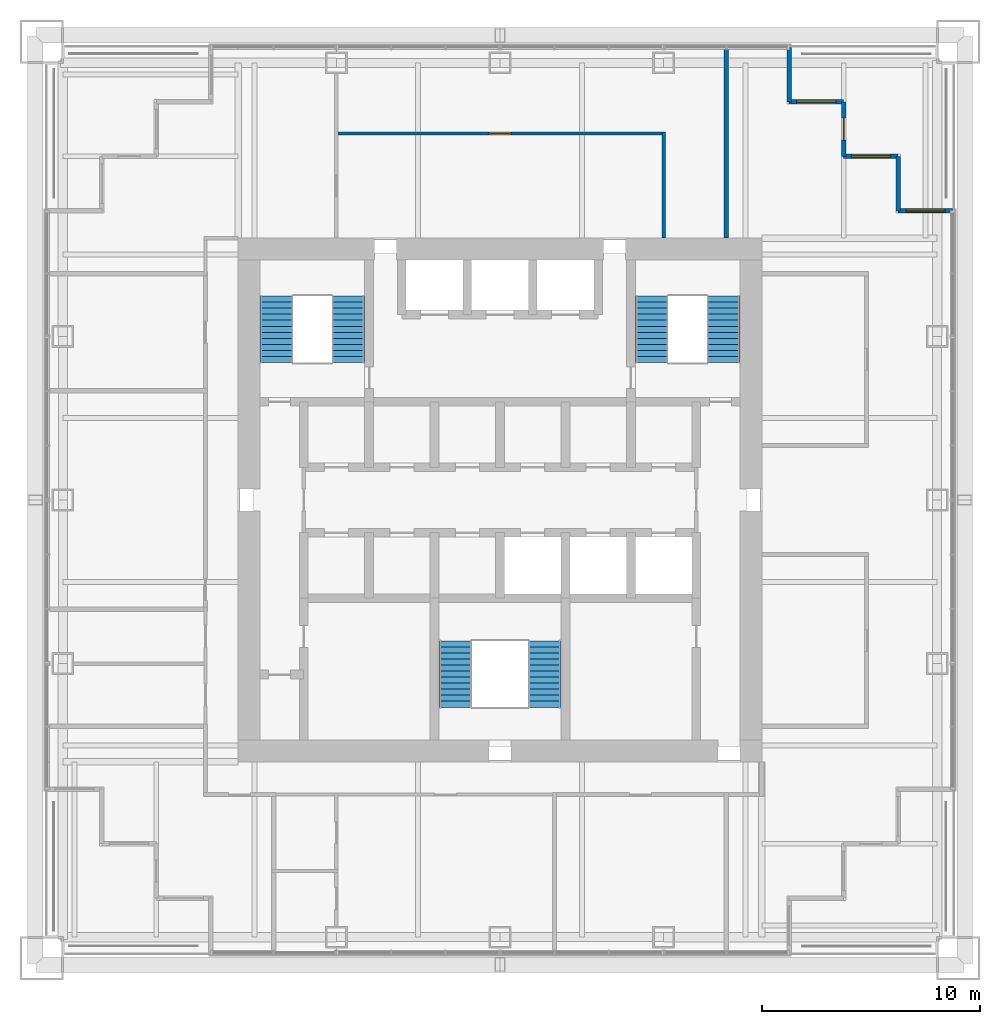
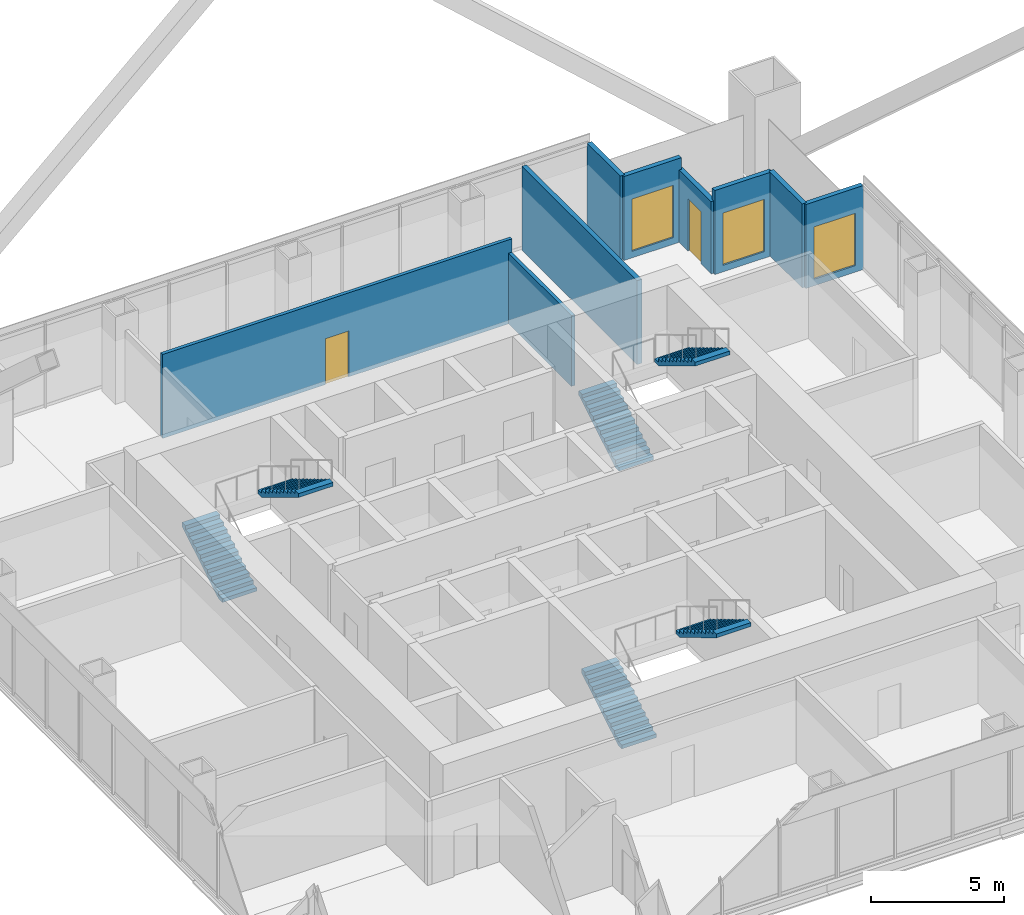
# One storey, part 11 of 13: 9 walls, 6 stair flights, 3 windows, 2 doors, 5 openings, 3 elements without a shape of their own.
"""IFC4 building model written with IfcOpenShell, lengths in metres."""

from ifc_helpers import new_model, si_unit, direction, frame, frame_2d, origin, place, context, subcontext, project, spatial, polyline, rectangle, outline, extrude, material, layer, layer_set, type_object, element, fill, aggregate, save


model = new_model("IFC4")

# Units and contexts
model_context = context("Model", 3, precision=1e-05, world=origin(), true_north=direction((0.0, 1.0)))
body_context = subcontext(model_context, "Body", "Model", "MODEL_VIEW")
ifc_project = project(units=[si_unit("LENGTHUNIT", "METRE"), si_unit("AREAUNIT", "SQUARE_METRE"), si_unit("VOLUMEUNIT", "CUBIC_METRE"), si_unit("PLANEANGLEUNIT", "RADIAN"), si_unit("MASSUNIT", "GRAM", prefix="KILO")], contexts=[model_context])

# Site, building, storey
site_placement = place(None, origin())
site = spatial("IfcSite", under=ifc_project, at=site_placement, CompositionType="ELEMENT")
building_placement = place(site_placement, origin())
building = spatial("IfcBuilding", under=site, at=building_placement, Name="Tarangal Relay Tower", CompositionType="ELEMENT")
storey_placement = place(building_placement, frame((0.0, 0.0, 259.89990234375)))
storey = spatial("IfcBuildingStorey", under=building, at=storey_placement, Name="L56", CompositionType="ELEMENT", Elevation=259.89990234375)

# Walls
ifc_material_1 = material(Name="Two layers gypsum board each side on twin steel studs, mineral wool", Category="steel")
ifc_layer_1 = layer(ifc_material_1, 0.199951171875)
ifc_layer_set_1 = layer_set([ifc_layer_1], Name="Acoustic partition 200")
wall_type_1 = type_object("IfcWallType", Name="Acoustic partition 200", PredefinedType="PARTITIONING", material=ifc_layer_set_1)
wall_1_placement = place(storey_placement, frame((10.375, 12.0, 0.0), z_axis=(0.0, 0.0, 1.0), x_axis=(0.0, 1.0, 0.0)))
element("IfcWall", 1, at=wall_1_placement, inside=storey, type_object=wall_type_1, Name="Partition PT2 L56", PredefinedType="PARTITIONING", context=body_context, shape_type="SweptSolid", body=[
    extrude(rectangle(XDim=8.64990234375, YDim=0.199951171875, at=frame_2d((4.324951171875, 0.0))), origin(), (0.0, 0.0, 1.0), 3.85009765625),
])
ifc_material_2 = material(Name="Black metal clad insulated wall", Category="steel")
ifc_layer_2 = layer(ifc_material_2, 0.199951171875)
ifc_layer_set_2 = layer_set([ifc_layer_2], Name="Corner wall metal clad 200")
wall_type_2 = type_object("IfcWallType", Name="Corner wall metal clad 200", PredefinedType="SOLIDWALL", material=ifc_layer_set_2)
wall_2_placement = place(storey_placement, frame((13.25, 20.75, 0.0), z_axis=(0.0, 0.0, 1.0), x_axis=(0.0, -1.0, 0.0)))
element("IfcWall", 2, at=wall_2_placement, inside=storey, type_object=wall_type_2, Name="Facade wall N facade L56", PredefinedType="SOLIDWALL", context=body_context, shape_type="SweptSolid", body=[
    extrude(rectangle(XDim=2.5, YDim=0.199951171875, at=frame_2d((1.25, 0.0))), origin(), (0.0, 0.0, 1.0), 3.85009765625),
])

# Wall, opening, window
wall_3_placement = place(storey_placement, frame((13.25, 18.25, 0.0), z_axis=(0.0, 0.0, 1.0), x_axis=(1.0, 0.0, 0.0)))
wall_3 = element("IfcWall", 3, at=wall_3_placement, inside=storey, type_object=wall_type_2, Name="Facade wall N facade L56", PredefinedType="SOLIDWALL", context=body_context, shape_type="SweptSolid", body=[
    extrude(rectangle(XDim=2.5, YDim=0.199951171875, at=frame_2d((1.25, 0.0))), origin(), (0.0, 0.0, 1.0), 3.85009765625),
])
opening_1_placement = place(wall_3_placement, frame((0.35009765625, 0.0, 0.300048828125)))
opening_1 = element("IfcOpeningElement", 4, at=opening_1_placement, cuts=wall_3, Name="Opening WN2", PredefinedType="OPENING", context=body_context, shape_type="SweptSolid", body=[
    extrude(rectangle(XDim=1.800048828125, YDim=2.39990234375, at=frame_2d((0.89990234375, 1.199951171875))), frame((0.0, 0.10986328125, 0.0), z_axis=(0.0, -1.0, 0.0), x_axis=(1.0, 0.0, 0.0)), (0.0, 0.0, 1.0), 0.219970703125),
])
ifc_material_3 = material(Name="Dark tinted double glazing in black aluminium frame", Category="aluminium")
window_type = type_object("IfcWindowType", Name="Corner window 1800 x 2400", PartitioningType="SINGLE_PANEL", PredefinedType="WINDOW", material=ifc_material_3)
window_1_placement = place(opening_1_placement, origin())
window_1 = element("IfcWindow", 5, at=window_1_placement, inside=storey, type_object=window_type, Name="Corner window WN2 N facade L56", OverallHeight=2.39990234375, OverallWidth=1.800048828125, PartitioningType="SINGLE_PANEL", PredefinedType="WINDOW", context=body_context, shape_type="SweptSolid", body=[
    extrude(rectangle(XDim=1.800048828125, YDim=2.39990234375, at=frame_2d((0.89990234375, 1.199951171875))), frame((0.0, 0.030029296875, 0.0), z_axis=(0.0, -1.0, 0.0), x_axis=(1.0, 0.0, 0.0)), (0.0, 0.0, 1.0), 0.06005859375),
])
fill(opening_1, window_1)

# Wall, opening, door
wall_4_placement = place(storey_placement, frame((15.75, 18.25, 0.0), z_axis=(0.0, 0.0, 1.0), x_axis=(0.0, -1.0, 0.0)))
wall_4 = element("IfcWall", 6, at=wall_4_placement, inside=storey, type_object=wall_type_2, Name="Facade wall N facade L56", PredefinedType="SOLIDWALL", context=body_context, shape_type="SweptSolid", body=[
    extrude(rectangle(XDim=2.5, YDim=0.199951171875, at=frame_2d((1.25, 0.0))), origin(), (0.0, 0.0, 1.0), 3.316650390625),
])
opening_2_placement = place(wall_4_placement, frame((0.75, 0.0, 0.0)))
opening_2 = element("IfcOpeningElement", 7, at=opening_2_placement, cuts=wall_4, Name="Opening TD1", PredefinedType="OPENING", context=body_context, shape_type="SweptSolid", body=[
    extrude(rectangle(XDim=1.0, YDim=2.39990234375, at=frame_2d((0.5, 1.199951171875))), frame((0.0, 0.10986328125, 0.0), z_axis=(0.0, -1.0, 0.0), x_axis=(1.0, 0.0, 0.0)), (0.0, 0.0, 1.0), 0.219970703125),
])
ifc_material_4 = material(Name="Aluminium glazed door", Category="aluminium")
door_type_1 = type_object("IfcDoorType", Name="Terrace door 1000 x 2400", OperationType="SINGLE_SWING_RIGHT", PredefinedType="DOOR", material=ifc_material_4)
door_1_placement = place(opening_2_placement, origin())
door_1 = element("IfcDoor", 8, at=door_1_placement, inside=storey, type_object=door_type_1, Name="Terrace door TD1 NE L56", OperationType="SINGLE_SWING_RIGHT", OverallHeight=2.39990234375, OverallWidth=1.0, PredefinedType="DOOR", context=body_context, shape_type="SweptSolid", body=[
    extrude(rectangle(XDim=1.0, YDim=2.39990234375, at=frame_2d((0.5, 1.199951171875))), frame((0.0, 0.02490234375, 0.0), z_axis=(0.0, -1.0, 0.0), x_axis=(1.0, 0.0, 0.0)), (0.0, 0.0, 1.0), 0.050048828125),
])
fill(opening_2, door_1)

# Wall, opening, window
wall_5_placement = place(storey_placement, frame((15.75, 15.75, 0.0), z_axis=(0.0, 0.0, 1.0), x_axis=(1.0, 0.0, 0.0)))
wall_5 = element("IfcWall", 9, at=wall_5_placement, inside=storey, type_object=wall_type_2, Name="Facade wall N facade L56", PredefinedType="SOLIDWALL", context=body_context, shape_type="SweptSolid", body=[
    extrude(rectangle(XDim=2.5, YDim=0.199951171875, at=frame_2d((1.25, 0.0))), origin(), (0.0, 0.0, 1.0), 3.85009765625),
])
opening_3_placement = place(wall_5_placement, frame((0.35009765625, 0.0, 0.300048828125)))
opening_3 = element("IfcOpeningElement", 10, at=opening_3_placement, cuts=wall_5, Name="Opening WN2", PredefinedType="OPENING", context=body_context, shape_type="SweptSolid", body=[
    extrude(rectangle(XDim=1.800048828125, YDim=2.39990234375, at=frame_2d((0.89990234375, 1.199951171875))), frame((0.0, 0.10986328125, 0.0), z_axis=(0.0, -1.0, 0.0), x_axis=(1.0, 0.0, 0.0)), (0.0, 0.0, 1.0), 0.219970703125),
])
window_2_placement = place(opening_3_placement, origin())
window_2 = element("IfcWindow", 11, at=window_2_placement, inside=storey, type_object=window_type, Name="Corner window WN2 N facade L56", OverallHeight=2.39990234375, OverallWidth=1.800048828125, PartitioningType="SINGLE_PANEL", PredefinedType="WINDOW", context=body_context, shape_type="SweptSolid", body=[
    extrude(rectangle(XDim=1.800048828125, YDim=2.39990234375, at=frame_2d((0.89990234375, 1.199951171875))), frame((0.0, 0.030029296875, 0.0), z_axis=(0.0, -1.0, 0.0), x_axis=(1.0, 0.0, 0.0)), (0.0, 0.0, 1.0), 0.06005859375),
])
fill(opening_3, window_2)

# Wall
wall_6_placement = place(storey_placement, frame((18.25, 15.75, 0.0), z_axis=(0.0, 0.0, 1.0), x_axis=(0.0, -1.0, 0.0)))
element("IfcWall", 12, at=wall_6_placement, inside=storey, type_object=wall_type_2, Name="Facade wall N facade L56", PredefinedType="SOLIDWALL", context=body_context, shape_type="SweptSolid", body=[
    extrude(rectangle(XDim=2.5, YDim=0.199951171875, at=frame_2d((1.25, 0.0))), origin(), (0.0, 0.0, 1.0), 3.85009765625),
])

# Wall, opening, window
wall_7_placement = place(storey_placement, frame((18.25, 13.25, 0.0), z_axis=(0.0, 0.0, 1.0), x_axis=(1.0, 0.0, 0.0)))
wall_7 = element("IfcWall", 13, at=wall_7_placement, inside=storey, type_object=wall_type_2, Name="Facade wall N facade L56", PredefinedType="SOLIDWALL", context=body_context, shape_type="SweptSolid", body=[
    extrude(rectangle(XDim=2.5, YDim=0.199951171875, at=frame_2d((1.25, 0.0))), origin(), (0.0, 0.0, 1.0), 3.85009765625),
])
opening_4_placement = place(wall_7_placement, frame((0.35009765625, 0.0, 0.300048828125)))
opening_4 = element("IfcOpeningElement", 14, at=opening_4_placement, cuts=wall_7, Name="Opening WN2", PredefinedType="OPENING", context=body_context, shape_type="SweptSolid", body=[
    extrude(rectangle(XDim=1.800048828125, YDim=2.39990234375, at=frame_2d((0.89990234375, 1.199951171875))), frame((0.0, 0.10986328125, 0.0), z_axis=(0.0, -1.0, 0.0), x_axis=(1.0, 0.0, 0.0)), (0.0, 0.0, 1.0), 0.219970703125),
])
window_3_placement = place(opening_4_placement, origin())
window_3 = element("IfcWindow", 15, at=window_3_placement, inside=storey, type_object=window_type, Name="Corner window WN2 N facade L56", OverallHeight=2.39990234375, OverallWidth=1.800048828125, PartitioningType="SINGLE_PANEL", PredefinedType="WINDOW", context=body_context, shape_type="SweptSolid", body=[
    extrude(rectangle(XDim=1.800048828125, YDim=2.39990234375, at=frame_2d((0.89990234375, 1.199951171875))), frame((0.0, 0.030029296875, 0.0), z_axis=(0.0, -1.0, 0.0), x_axis=(1.0, 0.0, 0.0)), (0.0, 0.0, 1.0), 0.06005859375),
])
fill(opening_4, window_3)

# Wall, opening, door
ifc_material_5 = material(Name="Gypsum board on steel studs", Category="steel")
ifc_layer_3 = layer(ifc_material_5, 0.14990234375)
ifc_layer_set_3 = layer_set([ifc_layer_3], Name="Partition 150")
wall_type_3 = type_object("IfcWallType", Name="Partition 150", PredefinedType="PARTITIONING", material=ifc_layer_set_3)
wall_8_placement = place(storey_placement, frame((-7.574951171875, 16.800048828125, 0.0), z_axis=(0.0, 0.0, 1.0), x_axis=(1.0, 0.0, 0.0)))
wall_8 = element("IfcWall", 16, at=wall_8_placement, inside=storey, type_object=wall_type_3, Name="Partition PT1 L56", PredefinedType="PARTITIONING", context=body_context, shape_type="SweptSolid", body=[
    extrude(rectangle(XDim=15.14990234375, YDim=0.14990234375, at=frame_2d((7.574951171875, 0.0))), origin(), (0.0, 0.0, 1.0), 3.85009765625),
])
opening_5_placement = place(wall_8_placement, frame((7.074951171875, 0.0, 0.0)))
opening_5 = element("IfcOpeningElement", 17, at=opening_5_placement, cuts=wall_8, Name="Opening D2", PredefinedType="OPENING", context=body_context, shape_type="SweptSolid", body=[
    extrude(rectangle(XDim=1.0, YDim=2.10009765625, at=frame_2d((0.5, 1.050048828125))), frame((0.0, 0.0849609375, 0.0), z_axis=(0.0, -1.0, 0.0), x_axis=(1.0, 0.0, 0.0)), (0.0, 0.0, 1.0), 0.169921875),
])
ifc_material_6 = material(Name="Hardwood door", Category="wood")
door_type_2 = type_object("IfcDoorType", Name="Door 1000 x 2100", OperationType="SINGLE_SWING_LEFT", PredefinedType="DOOR", material=ifc_material_6)
door_2_placement = place(opening_5_placement, origin())
door_2 = element("IfcDoor", 18, at=door_2_placement, inside=storey, type_object=door_type_2, Name="Door D2 to coffee bar L56-03", OperationType="SINGLE_SWING_LEFT", OverallHeight=2.10009765625, OverallWidth=1.0, PredefinedType="DOOR", context=body_context, shape_type="SweptSolid", body=[
    extrude(rectangle(XDim=1.0, YDim=2.10009765625, at=frame_2d((0.5, 1.050048828125))), frame((0.0, 0.02490234375, 0.0), z_axis=(0.0, -1.0, 0.0), x_axis=(1.0, 0.0, 0.0)), (0.0, 0.0, 1.0), 0.050048828125),
])
fill(opening_5, door_2)

# Wall
wall_9_placement = place(storey_placement, frame((7.5, 12.0, 0.0), z_axis=(0.0, 0.0, 1.0), x_axis=(0.0, 1.0, 0.0)))
element("IfcWall", 19, at=wall_9_placement, inside=storey, type_object=wall_type_3, Name="Partition PT1 L56", PredefinedType="PARTITIONING", context=body_context, shape_type="SweptSolid", body=[
    extrude(rectangle(XDim=4.875, YDim=0.14990234375, at=frame_2d((2.4375, 0.0))), origin(), (0.0, 0.0, 1.0), 3.2431640625),
])

# Stair, stair flights
ifc_material_7 = material(Name="Steel ASTM A992 stair flight", Category="steel")
stair_type = type_object("IfcStairType", Name="Core stair 1500", PredefinedType="HALF_TURN_STAIR", material=ifc_material_7)
stair_1_placement = place(storey_placement, origin())
stair_1 = element("IfcStair", 20, at=stair_1_placement, inside=storey, type_object=stair_type, Name="Stair ST-A L56", PredefinedType="HALF_TURN_STAIR")
stair_flight_type = type_object("IfcStairFlightType", Name="Steel stair flight 1500, 12 risers 167 x 277", PredefinedType="STRAIGHT", material=ifc_material_7)
stair_flight_1_placement = place(storey_placement, frame((-10.25, 6.300048828125, 0.0), z_axis=(0.0, 0.0, 1.0), x_axis=(0.0, 1.0, 0.0)))
stair_flight_1 = element("IfcStairFlight", 21, at=stair_flight_1_placement, type_object=stair_flight_type, Name="ST-A flight 1", NumberOfRisers=12, NumberOfTreads=11, PredefinedType="STRAIGHT", RiserHeight=0.166666667, TreadLength=0.277, context=body_context, shape_type="SweptSolid", body=[
    extrude(outline(polyline([(0.0, 0.0), (0.0, 0.166748046875), (0.277099609375, 0.166748046875), (0.277099609375, 0.333251953125), (0.553955078125, 0.333251953125), (0.553955078125, 0.5), (0.8310546875, 0.5), (0.8310546875, 0.666748046875), (1.10791015625, 0.666748046875), (1.10791015625, 0.833251953125), (1.385009765625, 0.833251953125), (1.385009765625, 1.0), (1.662109375, 1.0), (1.662109375, 1.166748046875), (1.93896484375, 1.166748046875), (1.93896484375, 1.333251953125), (2.216064453125, 1.333251953125), (2.216064453125, 1.5), (2.492919921875, 1.5), (2.492919921875, 1.666748046875), (2.77001953125, 1.666748046875), (2.77001953125, 1.833251953125), (3.047119140625, 1.833251953125), (3.047119140625, 2.0), (3.047119140625, 1.658447265625), (0.290771484375, 0.0), (0.0, 0.0)])), frame((0.0, 0.75, 0.0), z_axis=(0.0, -1.0, 0.0), x_axis=(1.0, 0.0, 0.0)), (0.0, 0.0, 1.0), 1.5),
])
stair_flight_2_placement = place(storey_placement, frame((-6.949951171875, 9.346923828125, 2.0), z_axis=(0.0, 0.0, 1.0), x_axis=(0.0, -1.0, 0.0)))
stair_flight_2 = element("IfcStairFlight", 22, at=stair_flight_2_placement, type_object=stair_flight_type, Name="ST-A flight 2", NumberOfRisers=12, NumberOfTreads=11, PredefinedType="STRAIGHT", RiserHeight=0.166666667, TreadLength=0.277, context=body_context, shape_type="SweptSolid", body=[
    extrude(outline(polyline([(0.0, 0.0), (0.0, 0.166748046875), (0.277099609375, 0.166748046875), (0.277099609375, 0.333251953125), (0.553955078125, 0.333251953125), (0.553955078125, 0.5), (0.8310546875, 0.5), (0.8310546875, 0.666748046875), (1.10791015625, 0.666748046875), (1.10791015625, 0.833251953125), (1.385009765625, 0.833251953125), (1.385009765625, 1.0), (1.662109375, 1.0), (1.662109375, 1.166748046875), (1.93896484375, 1.166748046875), (1.93896484375, 1.333251953125), (2.216064453125, 1.333251953125), (2.216064453125, 1.5), (2.492919921875, 1.5), (2.492919921875, 1.666748046875), (2.77001953125, 1.666748046875), (2.77001953125, 1.833251953125), (3.047119140625, 1.833251953125), (3.047119140625, 2.0), (3.047119140625, 1.658447265625), (0.290771484375, 0.0), (0.0, 0.0)])), frame((0.0, 0.75, 0.0), z_axis=(0.0, -1.0, 0.0), x_axis=(1.0, 0.0, 0.0)), (0.0, 0.0, 1.0), 1.5),
])
aggregate(stair_1, [stair_flight_1, stair_flight_2])

stair_2_placement = place(storey_placement, origin())
stair_2 = element("IfcStair", 23, at=stair_2_placement, inside=storey, type_object=stair_type, Name="Stair ST-B L56", PredefinedType="HALF_TURN_STAIR")
stair_flight_3_placement = place(storey_placement, frame((6.949951171875, 6.300048828125, 0.0), z_axis=(0.0, 0.0, 1.0), x_axis=(0.0, 1.0, 0.0)))
stair_flight_3 = element("IfcStairFlight", 24, at=stair_flight_3_placement, type_object=stair_flight_type, Name="ST-B flight 1", NumberOfRisers=12, NumberOfTreads=11, PredefinedType="STRAIGHT", RiserHeight=0.166666667, TreadLength=0.277, context=body_context, shape_type="SweptSolid", body=[
    extrude(outline(polyline([(0.0, 0.0), (0.0, 0.166748046875), (0.277099609375, 0.166748046875), (0.277099609375, 0.333251953125), (0.553955078125, 0.333251953125), (0.553955078125, 0.5), (0.8310546875, 0.5), (0.8310546875, 0.666748046875), (1.10791015625, 0.666748046875), (1.10791015625, 0.833251953125), (1.385009765625, 0.833251953125), (1.385009765625, 1.0), (1.662109375, 1.0), (1.662109375, 1.166748046875), (1.93896484375, 1.166748046875), (1.93896484375, 1.333251953125), (2.216064453125, 1.333251953125), (2.216064453125, 1.5), (2.492919921875, 1.5), (2.492919921875, 1.666748046875), (2.77001953125, 1.666748046875), (2.77001953125, 1.833251953125), (3.047119140625, 1.833251953125), (3.047119140625, 2.0), (3.047119140625, 1.658447265625), (0.290771484375, 0.0), (0.0, 0.0)])), frame((0.0, 0.75, 0.0), z_axis=(0.0, -1.0, 0.0), x_axis=(1.0, 0.0, 0.0)), (0.0, 0.0, 1.0), 1.5),
])
stair_flight_4_placement = place(storey_placement, frame((10.25, 9.346923828125, 2.0), z_axis=(0.0, 0.0, 1.0), x_axis=(0.0, -1.0, 0.0)))
stair_flight_4 = element("IfcStairFlight", 25, at=stair_flight_4_placement, type_object=stair_flight_type, Name="ST-B flight 2", NumberOfRisers=12, NumberOfTreads=11, PredefinedType="STRAIGHT", RiserHeight=0.166666667, TreadLength=0.277, context=body_context, shape_type="SweptSolid", body=[
    extrude(outline(polyline([(0.0, 0.0), (0.0, 0.166748046875), (0.277099609375, 0.166748046875), (0.277099609375, 0.333251953125), (0.553955078125, 0.333251953125), (0.553955078125, 0.5), (0.8310546875, 0.5), (0.8310546875, 0.666748046875), (1.10791015625, 0.666748046875), (1.10791015625, 0.833251953125), (1.385009765625, 0.833251953125), (1.385009765625, 1.0), (1.662109375, 1.0), (1.662109375, 1.166748046875), (1.93896484375, 1.166748046875), (1.93896484375, 1.333251953125), (2.216064453125, 1.333251953125), (2.216064453125, 1.5), (2.492919921875, 1.5), (2.492919921875, 1.666748046875), (2.77001953125, 1.666748046875), (2.77001953125, 1.833251953125), (3.047119140625, 1.833251953125), (3.047119140625, 2.0), (3.047119140625, 1.658447265625), (0.290771484375, 0.0), (0.0, 0.0)])), frame((0.0, 0.75, 0.0), z_axis=(0.0, -1.0, 0.0), x_axis=(1.0, 0.0, 0.0)), (0.0, 0.0, 1.0), 1.5),
])
aggregate(stair_2, [stair_flight_3, stair_flight_4])

stair_3_placement = place(storey_placement, origin())
stair_3 = element("IfcStair", 26, at=stair_3_placement, inside=storey, type_object=stair_type, Name="Stair ST-C L56", PredefinedType="HALF_TURN_STAIR")
stair_flight_5_placement = place(storey_placement, frame((-2.050048828125, -9.5, 0.0), z_axis=(0.0, 0.0, 1.0), x_axis=(0.0, 1.0, 0.0)))
stair_flight_5 = element("IfcStairFlight", 27, at=stair_flight_5_placement, type_object=stair_flight_type, Name="ST-C flight 1", NumberOfRisers=12, NumberOfTreads=11, PredefinedType="STRAIGHT", RiserHeight=0.166666667, TreadLength=0.277, context=body_context, shape_type="SweptSolid", body=[
    extrude(outline(polyline([(0.0, 0.0), (0.0, 0.166748046875), (0.277099609375, 0.166748046875), (0.277099609375, 0.333251953125), (0.553955078125, 0.333251953125), (0.553955078125, 0.5), (0.8310546875, 0.5), (0.8310546875, 0.666748046875), (1.10791015625, 0.666748046875), (1.10791015625, 0.833251953125), (1.385009765625, 0.833251953125), (1.385009765625, 1.0), (1.662109375, 1.0), (1.662109375, 1.166748046875), (1.93896484375, 1.166748046875), (1.93896484375, 1.333251953125), (2.216064453125, 1.333251953125), (2.216064453125, 1.5), (2.492919921875, 1.5), (2.492919921875, 1.666748046875), (2.77001953125, 1.666748046875), (2.77001953125, 1.833251953125), (3.047119140625, 1.833251953125), (3.047119140625, 2.0), (3.047119140625, 1.658447265625), (0.290771484375, 0.0), (0.0, 0.0)])), frame((0.0, 0.75, 0.0), z_axis=(0.0, -1.0, 0.0), x_axis=(1.0, 0.0, 0.0)), (0.0, 0.0, 1.0), 1.5),
])
stair_flight_6_placement = place(storey_placement, frame((2.050048828125, -6.452880859375, 2.0), z_axis=(0.0, 0.0, 1.0), x_axis=(0.0, -1.0, 0.0)))
stair_flight_6 = element("IfcStairFlight", 28, at=stair_flight_6_placement, type_object=stair_flight_type, Name="ST-C flight 2", NumberOfRisers=12, NumberOfTreads=11, PredefinedType="STRAIGHT", RiserHeight=0.166666667, TreadLength=0.277, context=body_context, shape_type="SweptSolid", body=[
    extrude(outline(polyline([(0.0, 0.0), (0.0, 0.166748046875), (0.277099609375, 0.166748046875), (0.277099609375, 0.333251953125), (0.553955078125, 0.333251953125), (0.553955078125, 0.5), (0.8310546875, 0.5), (0.8310546875, 0.666748046875), (1.10791015625, 0.666748046875), (1.10791015625, 0.833251953125), (1.385009765625, 0.833251953125), (1.385009765625, 1.0), (1.662109375, 1.0), (1.662109375, 1.166748046875), (1.93896484375, 1.166748046875), (1.93896484375, 1.333251953125), (2.216064453125, 1.333251953125), (2.216064453125, 1.5), (2.492919921875, 1.5), (2.492919921875, 1.666748046875), (2.77001953125, 1.666748046875), (2.77001953125, 1.833251953125), (3.047119140625, 1.833251953125), (3.047119140625, 2.0), (3.047119140625, 1.658447265625), (0.290771484375, 0.0), (0.0, 0.0)])), frame((0.0, 0.75, 0.0), z_axis=(0.0, -1.0, 0.0), x_axis=(1.0, 0.0, 0.0)), (0.0, 0.0, 1.0), 1.5),
])
aggregate(stair_3, [stair_flight_5, stair_flight_6])

save(model, "model.ifc")
